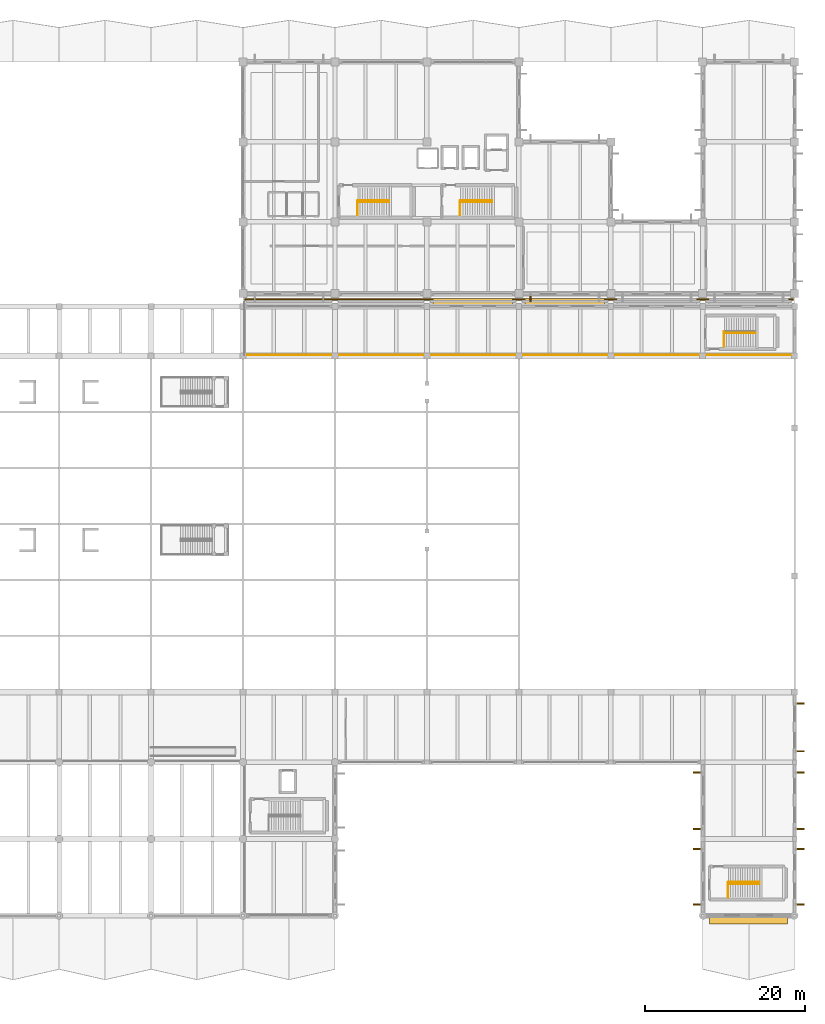
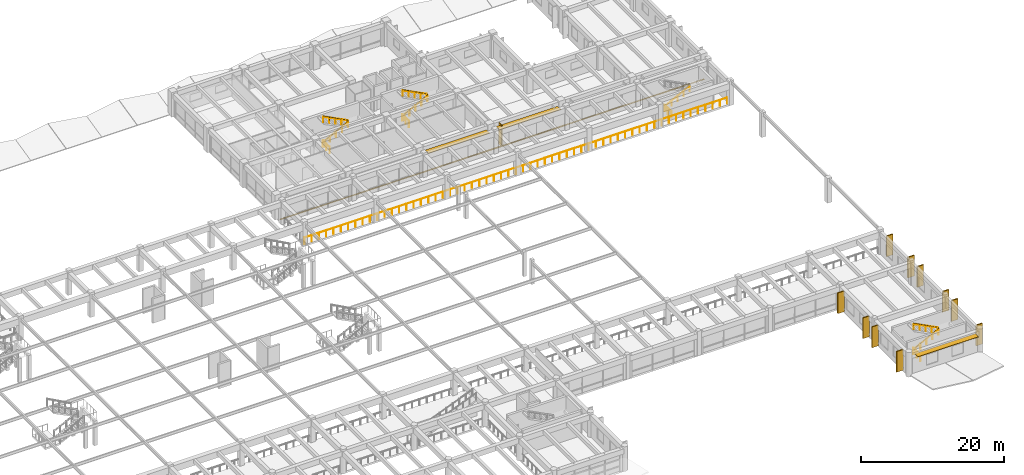
# One storey, part 96 of 98: 15 railings, 14 shading devices, 1 covering.
"""IFC4 building model written with IfcOpenShell, lengths in metres."""

from ifc_helpers import new_model, si_unit, direction, frame, origin, origin_2d, place, context, subcontext, project, spatial, polyline, rectangle, circle, outline, extrude, material, layer, layer_set, type_object, element, save


model = new_model("IFC4")

# Units and contexts
model_context = context("Model", 3, precision=1e-05, world=origin(), true_north=direction((0.0, 1.0)))
body_context = subcontext(model_context, "Body", "Model", "MODEL_VIEW")
ifc_project = project(units=[si_unit("LENGTHUNIT", "METRE"), si_unit("AREAUNIT", "SQUARE_METRE"), si_unit("VOLUMEUNIT", "CUBIC_METRE"), si_unit("PLANEANGLEUNIT", "RADIAN"), si_unit("MASSUNIT", "GRAM", prefix="KILO")], contexts=[model_context])

# Site, building, storey
site_placement = place(None, origin())
site = spatial("IfcSite", under=ifc_project, at=site_placement, CompositionType="ELEMENT")
building_placement = place(site_placement, origin())
building = spatial("IfcBuilding", under=site, at=building_placement, Name="Ologun Quay Terminus", CompositionType="ELEMENT")
storey_placement = place(building_placement, frame((0.0, 0.0, 4.199951171875)))
storey = spatial("IfcBuildingStorey", under=building, at=storey_placement, Name="L01", CompositionType="ELEMENT", Elevation=4.199951171875)

# Railing
ifc_material_1 = material(Name="Glass", Category="glass")
railing_type_1 = type_object("IfcRailingType", Name="Concourse & Atrium Glazed Balustrade 1150", PredefinedType="BALUSTRADE", material=ifc_material_1)
railing_1_placement = place(storey_placement, frame((115.14990234375, 78.14990234375, 0.0)))
element("IfcRailing", 1, at=railing_1_placement, inside=storey, type_object=railing_type_1, Name="BL-GL North Mezzanine Overlook Balustrade E L01", PredefinedType="BALUSTRADE", context=body_context, shape_type="SweptSolid", body=[
    extrude(circle(Radius=0.02392578125, at=origin_2d()), frame((0.0, 0.0, 1.1259765625), z_axis=(1.0, 0.0, 0.0), x_axis=(0.0, 1.0, 0.0)), (0.0, 0.0, 1.0), 68.4501953125),
    extrude(circle(Radius=0.02099609375, at=origin_2d()), origin(), (0.0, 0.0, 1.0), 1.101806640625),
    extrude(circle(Radius=0.02099609375, at=origin_2d()), frame((1.18017578125, 0.0, 0.0)), (0.0, 0.0, 1.0), 1.101806640625),
    extrude(circle(Radius=0.02099609375, at=origin_2d()), frame((2.3603515625, 0.0, 0.0)), (0.0, 0.0, 1.0), 1.101806640625),
    extrude(circle(Radius=0.02099609375, at=origin_2d()), frame((3.54052734375, 0.0, 0.0)), (0.0, 0.0, 1.0), 1.101806640625),
    extrude(circle(Radius=0.02099609375, at=origin_2d()), frame((4.720703125, 0.0, 0.0)), (0.0, 0.0, 1.0), 1.101806640625),
    extrude(circle(Radius=0.02099609375, at=origin_2d()), frame((5.90087890625, 0.0, 0.0)), (0.0, 0.0, 1.0), 1.101806640625),
    extrude(circle(Radius=0.02099609375, at=origin_2d()), frame((7.0810546875, 0.0, 0.0)), (0.0, 0.0, 1.0), 1.101806640625),
    extrude(circle(Radius=0.02099609375, at=origin_2d()), frame((8.26123046875, 0.0, 0.0)), (0.0, 0.0, 1.0), 1.101806640625),
    extrude(circle(Radius=0.02099609375, at=origin_2d()), frame((9.44140625, 0.0, 0.0)), (0.0, 0.0, 1.0), 1.101806640625),
    extrude(circle(Radius=0.02099609375, at=origin_2d()), frame((10.62158203125, 0.0, 0.0)), (0.0, 0.0, 1.0), 1.101806640625),
    extrude(circle(Radius=0.02099609375, at=origin_2d()), frame((11.8017578125, 0.0, 0.0)), (0.0, 0.0, 1.0), 1.101806640625),
    extrude(circle(Radius=0.02099609375, at=origin_2d()), frame((12.98193359375, 0.0, 0.0)), (0.0, 0.0, 1.0), 1.101806640625),
    extrude(circle(Radius=0.02099609375, at=origin_2d()), frame((14.162109375, 0.0, 0.0)), (0.0, 0.0, 1.0), 1.101806640625),
    extrude(circle(Radius=0.02099609375, at=origin_2d()), frame((15.34228515625, 0.0, 0.0)), (0.0, 0.0, 1.0), 1.101806640625),
    extrude(circle(Radius=0.02099609375, at=origin_2d()), frame((16.5224609375, 0.0, 0.0)), (0.0, 0.0, 1.0), 1.101806640625),
    extrude(circle(Radius=0.02099609375, at=origin_2d()), frame((17.70263671875, 0.0, 0.0)), (0.0, 0.0, 1.0), 1.101806640625),
    extrude(circle(Radius=0.02099609375, at=origin_2d()), frame((18.8828125, 0.0, 0.0)), (0.0, 0.0, 1.0), 1.101806640625),
    extrude(circle(Radius=0.02099609375, at=origin_2d()), frame((20.06298828125, 0.0, 0.0)), (0.0, 0.0, 1.0), 1.101806640625),
    extrude(circle(Radius=0.02099609375, at=origin_2d()), frame((21.2431640625, 0.0, 0.0)), (0.0, 0.0, 1.0), 1.101806640625),
    extrude(circle(Radius=0.02099609375, at=origin_2d()), frame((22.42333984375, 0.0, 0.0)), (0.0, 0.0, 1.0), 1.101806640625),
    extrude(circle(Radius=0.02099609375, at=origin_2d()), frame((23.603515625, 0.0, 0.0)), (0.0, 0.0, 1.0), 1.101806640625),
    extrude(circle(Radius=0.02099609375, at=origin_2d()), frame((24.78369140625, 0.0, 0.0)), (0.0, 0.0, 1.0), 1.101806640625),
    extrude(circle(Radius=0.02099609375, at=origin_2d()), frame((25.9638671875, 0.0, 0.0)), (0.0, 0.0, 1.0), 1.101806640625),
    extrude(circle(Radius=0.02099609375, at=origin_2d()), frame((27.14404296875, 0.0, 0.0)), (0.0, 0.0, 1.0), 1.101806640625),
    extrude(circle(Radius=0.02099609375, at=origin_2d()), frame((28.32421875, 0.0, 0.0)), (0.0, 0.0, 1.0), 1.101806640625),
    extrude(circle(Radius=0.02099609375, at=origin_2d()), frame((29.50439453125, 0.0, 0.0)), (0.0, 0.0, 1.0), 1.101806640625),
    extrude(circle(Radius=0.02099609375, at=origin_2d()), frame((30.6845703125, 0.0, 0.0)), (0.0, 0.0, 1.0), 1.101806640625),
    extrude(circle(Radius=0.02099609375, at=origin_2d()), frame((31.86474609375, 0.0, 0.0)), (0.0, 0.0, 1.0), 1.101806640625),
    extrude(circle(Radius=0.02099609375, at=origin_2d()), frame((33.044921875, 0.0, 0.0)), (0.0, 0.0, 1.0), 1.101806640625),
    extrude(circle(Radius=0.02099609375, at=origin_2d()), frame((34.22509765625, 0.0, 0.0)), (0.0, 0.0, 1.0), 1.101806640625),
    extrude(circle(Radius=0.02099609375, at=origin_2d()), frame((35.4052734375, 0.0, 0.0)), (0.0, 0.0, 1.0), 1.101806640625),
    extrude(circle(Radius=0.02099609375, at=origin_2d()), frame((36.58544921875, 0.0, 0.0)), (0.0, 0.0, 1.0), 1.101806640625),
    extrude(circle(Radius=0.02099609375, at=origin_2d()), frame((37.765625, 0.0, 0.0)), (0.0, 0.0, 1.0), 1.101806640625),
    extrude(circle(Radius=0.02099609375, at=origin_2d()), frame((38.94580078125, 0.0, 0.0)), (0.0, 0.0, 1.0), 1.101806640625),
    extrude(circle(Radius=0.02099609375, at=origin_2d()), frame((40.1259765625, 0.0, 0.0)), (0.0, 0.0, 1.0), 1.101806640625),
    extrude(circle(Radius=0.02099609375, at=origin_2d()), frame((41.30615234375, 0.0, 0.0)), (0.0, 0.0, 1.0), 1.101806640625),
    extrude(circle(Radius=0.02099609375, at=origin_2d()), frame((42.486328125, 0.0, 0.0)), (0.0, 0.0, 1.0), 1.101806640625),
    extrude(circle(Radius=0.02099609375, at=origin_2d()), frame((43.66650390625, 0.0, 0.0)), (0.0, 0.0, 1.0), 1.101806640625),
    extrude(circle(Radius=0.02099609375, at=origin_2d()), frame((44.8466796875, 0.0, 0.0)), (0.0, 0.0, 1.0), 1.101806640625),
    extrude(circle(Radius=0.02099609375, at=origin_2d()), frame((46.02685546875, 0.0, 0.0)), (0.0, 0.0, 1.0), 1.101806640625),
    extrude(circle(Radius=0.02099609375, at=origin_2d()), frame((47.20703125, 0.0, 0.0)), (0.0, 0.0, 1.0), 1.101806640625),
    extrude(circle(Radius=0.02099609375, at=origin_2d()), frame((48.38720703125, 0.0, 0.0)), (0.0, 0.0, 1.0), 1.101806640625),
    extrude(circle(Radius=0.02099609375, at=origin_2d()), frame((49.5673828125, 0.0, 0.0)), (0.0, 0.0, 1.0), 1.101806640625),
    extrude(circle(Radius=0.02099609375, at=origin_2d()), frame((50.74755859375, 0.0, 0.0)), (0.0, 0.0, 1.0), 1.101806640625),
    extrude(circle(Radius=0.02099609375, at=origin_2d()), frame((51.927734375, 0.0, 0.0)), (0.0, 0.0, 1.0), 1.101806640625),
    extrude(circle(Radius=0.02099609375, at=origin_2d()), frame((53.10791015625, 0.0, 0.0)), (0.0, 0.0, 1.0), 1.101806640625),
    extrude(circle(Radius=0.02099609375, at=origin_2d()), frame((54.2880859375, 0.0, 0.0)), (0.0, 0.0, 1.0), 1.101806640625),
    extrude(circle(Radius=0.02099609375, at=origin_2d()), frame((55.46826171875, 0.0, 0.0)), (0.0, 0.0, 1.0), 1.101806640625),
    extrude(circle(Radius=0.02099609375, at=origin_2d()), frame((56.6484375, 0.0, 0.0)), (0.0, 0.0, 1.0), 1.101806640625),
    extrude(circle(Radius=0.02099609375, at=origin_2d()), frame((57.82861328125, 0.0, 0.0)), (0.0, 0.0, 1.0), 1.101806640625),
    extrude(circle(Radius=0.02099609375, at=origin_2d()), frame((59.0087890625, 0.0, 0.0)), (0.0, 0.0, 1.0), 1.101806640625),
    extrude(circle(Radius=0.02099609375, at=origin_2d()), frame((60.18896484375, 0.0, 0.0)), (0.0, 0.0, 1.0), 1.101806640625),
    extrude(circle(Radius=0.02099609375, at=origin_2d()), frame((61.369140625, 0.0, 0.0)), (0.0, 0.0, 1.0), 1.101806640625),
    extrude(circle(Radius=0.02099609375, at=origin_2d()), frame((62.54931640625, 0.0, 0.0)), (0.0, 0.0, 1.0), 1.101806640625),
    extrude(circle(Radius=0.02099609375, at=origin_2d()), frame((63.7294921875, 0.0, 0.0)), (0.0, 0.0, 1.0), 1.101806640625),
    extrude(circle(Radius=0.02099609375, at=origin_2d()), frame((64.90966796875, 0.0, 0.0)), (0.0, 0.0, 1.0), 1.101806640625),
    extrude(circle(Radius=0.02099609375, at=origin_2d()), frame((66.08984375, 0.0, 0.0)), (0.0, 0.0, 1.0), 1.101806640625),
    extrude(circle(Radius=0.02099609375, at=origin_2d()), frame((67.27001953125, 0.0, 0.0)), (0.0, 0.0, 1.0), 1.101806640625),
    extrude(circle(Radius=0.02099609375, at=origin_2d()), frame((68.4501953125, 0.0, 0.0)), (0.0, 0.0, 1.0), 1.101806640625),
])

# Shading devices
ifc_material_2 = material(Name="Aluminium 6063-T6", Category="aluminium")
ifc_layer_1 = layer(ifc_material_2, 0.080078125)
ifc_layer_set_1 = layer_set([ifc_layer_1], Name="Aluminium 6063-T6")
shading_device_type_1 = type_object("IfcShadingDeviceType", Name="Horizontal Extruded Aluminium Sun Louvre 900", PredefinedType="JALOUSIE", material=ifc_layer_set_1)
shading_device_1_placement = place(storey_placement, frame((178.25, 7.39990234375, 3.449951171875), z_axis=(0.0, 0.0, 1.0), x_axis=(1.0, 0.0, 0.0)))
element("IfcShadingDevice", 2, at=shading_device_1_placement, inside=storey, type_object=shading_device_type_1, Name="SD-01 Sun-Hood WEW-SA-L01-3-7", PredefinedType="JALOUSIE", context=body_context, shape_type="SweptSolid", body=[
    extrude(rectangle(XDim=9.760009765625, YDim=0.89990234375, at=origin_2d()), origin(), (0.0, 0.0, 1.0), 0.080078125),
])
for number, where, z_axis, x_axis, name in (
    (3, (143.75, 84.780029296875, 3.4599609375), (0.0, 0.0, 1.0), (1.0, 0.0, 0.0), "SD-01 Sun-Hood WEW-NGW-L01-13"),
    (4, (155.25, 84.780029296875, 3.4599609375), (0.0, 0.0, 1.0), (1.0, 0.0, 0.0), "SD-01 Sun-Hood WEW-NGW-L01-14"),
):
    element("IfcShadingDevice", number, at=place(storey_placement, frame(where, z_axis=z_axis, x_axis=x_axis)), inside=storey, type_object=shading_device_type_1, Name=name, PredefinedType="JALOUSIE", context=body_context, shape_type="SweptSolid", body=[
        extrude(rectangle(XDim=9.9599609375, YDim=0.89990234375, at=origin_2d()), origin(), (0.0, 0.0, 1.0), 0.080078125),
    ])
ifc_material_3 = material(Name="Concrete C40/50", Category="concrete")
ifc_layer_2 = layer(ifc_material_3, 0.159912109375)
ifc_layer_set_2 = layer_set([ifc_layer_2], Name="Concrete C40/50")
shading_device_type_2 = type_object("IfcShadingDeviceType", Name="Operations Angled Precast Solar Fin 850x160", PredefinedType="USERDEFINED", material=ifc_layer_set_2)
shading_device_2_placement = place(storey_placement, frame((150.969970703125, 85.2451171875, 0.150146484375), z_axis=(0.0, 0.0, 1.0), x_axis=(1.0, 0.0, 0.0)))
element("IfcShadingDevice", 5, at=shading_device_2_placement, inside=storey, type_object=shading_device_type_2, Name="SD-05 Vertical Solar Fin WEW-EW-L01-4-1", ObjectType="SOLAR FIN", PredefinedType="USERDEFINED", context=body_context, shape_type="SweptSolid", body=[
    extrude(rectangle(XDim=0.159912109375, YDim=0.85009765625, at=origin_2d()), origin(), (0.0, 0.0, 1.0), 3.6298828125),
])
ifc_material_4 = material(Name="Concrete C40/50", Category="concrete")
ifc_layer_3 = layer(ifc_material_4, 0.179931640625)
ifc_layer_set_3 = layer_set([ifc_layer_3], Name="Concrete C40/50")
shading_device_type_3 = type_object("IfcShadingDeviceType", Name="Sculpted Concrete Vertical Solar Fin 1050x180", PredefinedType="USERDEFINED", material=ifc_layer_set_3)
for number, where, z_axis, x_axis, name in (
    (6, (171.824951171875, 9.419921875, 0.150146484375), (0.0, 0.0, 1.0), (1.0, 0.0, 0.0), "SD-04 Vertical Solar Fin WEW-SA-L01-3-5-1"),
    (7, (171.824951171875, 16.330078125, 0.150146484375), (0.0, 0.0, 1.0), (1.0, 0.0, 0.0), "SD-04 Vertical Solar Fin WEW-SA-L01-3-5-2"),
    (8, (171.824951171875, 18.8701171875, 0.150146484375), (0.0, 0.0, 1.0), (1.0, 0.0, 0.0), "SD-04 Vertical Solar Fin WEW-SA-L01-3-6-1"),
    (9, (171.824951171875, 25.929931640625, 0.150146484375), (0.0, 0.0, 1.0), (1.0, 0.0, 0.0), "SD-04 Vertical Solar Fin WEW-SA-L01-3-6-2"),
    (10, (184.675048828125, 9.419921875, 0.150146484375), (0.0, 0.0, 1.0), (1.0, 0.0, 0.0), "SD-04 Vertical Solar Fin WEW-SA-L01-3-8-1"),
    (11, (184.675048828125, 16.330078125, 0.150146484375), (0.0, 0.0, 1.0), (1.0, 0.0, 0.0), "SD-04 Vertical Solar Fin WEW-SA-L01-3-8-2"),
    (12, (184.675048828125, 18.8701171875, 0.150146484375), (0.0, 0.0, 1.0), (1.0, 0.0, 0.0), "SD-04 Vertical Solar Fin WEW-SA-L01-3-9-1"),
    (13, (184.675048828125, 25.929931640625, 0.150146484375), (0.0, 0.0, 1.0), (1.0, 0.0, 0.0), "SD-04 Vertical Solar Fin WEW-SA-L01-3-9-2"),
    (14, (184.675048828125, 28.570068359375, 0.150146484375), (0.0, 0.0, 1.0), (1.0, 0.0, 0.0), "SD-04 Vertical Solar Fin WEW-SA-L01-3-10-1"),
    (15, (184.675048828125, 34.554931640625, 0.150146484375), (0.0, 0.0, 1.0), (1.0, 0.0, 0.0), "SD-04 Vertical Solar Fin WEW-SA-L01-3-10-2"),
):
    element("IfcShadingDevice", number, at=place(storey_placement, frame(where, z_axis=z_axis, x_axis=x_axis)), inside=storey, type_object=shading_device_type_3, Name=name, ObjectType="SOLAR FIN", PredefinedType="USERDEFINED", context=body_context, shape_type="SweptSolid", body=[
        extrude(rectangle(XDim=1.050048828125, YDim=0.179931640625, at=origin_2d()), origin(), (0.0, 0.0, 1.0), 3.5400390625),
    ])

# Covering
ifc_material_5 = material(Name="Steel S355", Category="steel")
ifc_layer_4 = layer(ifc_material_5, 0.034912109375)
ifc_layer_set_4 = layer_set([ifc_layer_4], Name="Steel S355")
covering_type = type_object("IfcCoveringType", Name="Stainless Steel Seismic Joint Cover Plate 35", PredefinedType="FLOORING", material=ifc_layer_set_4)
covering_placement = place(storey_placement, origin())
element("IfcCovering", 16, at=covering_placement, inside=storey, type_object=covering_type, Name="CV-MJC Seismic Joint Cover Plate L01-E", PredefinedType="FLOORING", context=body_context, shape_type="SweptSolid", body=[
    extrude(outline(polyline([(115.199951171875, 84.9560546875), (183.800048828125, 84.9560546875), (183.800048828125, 85.156005859375), (115.199951171875, 85.156005859375), (115.199951171875, 84.9560546875)])), origin(), (0.0, 0.0, 1.0), 0.03515625),
])

# Railings
ifc_material_6 = material(Name="Steel S355", Category="steel")
railing_type_2 = type_object("IfcRailingType", Name="Stair & Landing Steel Guardrail 1100", PredefinedType="GUARDRAIL", material=ifc_material_6)
railing_2_placement = place(storey_placement, frame((129.31005859375, 97.43994140625, 0.0)))
element("IfcRailing", 17, at=railing_2_placement, inside=storey, type_object=railing_type_2, Name="GR-ST Stair Floor Edge Guard ST-E1 L01", PredefinedType="GUARDRAIL", context=body_context, shape_type="SweptSolid", body=[
    extrude(circle(Radius=0.02392578125, at=origin_2d()), frame((0.0, 0.0, 1.076171875), z_axis=(0.0, -1.0, 0.0), x_axis=(1.0, 0.0, 0.0)), (0.0, 0.0, 1.0), 1.829833984375),
    extrude(circle(Radius=0.02099609375, at=origin_2d()), origin(), (0.0, 0.0, 1.0), 1.052001953125),
    extrude(circle(Radius=0.02099609375, at=origin_2d()), frame((0.0, -0.9150390625, 0.0)), (0.0, 0.0, 1.0), 1.052001953125),
    extrude(circle(Radius=0.02099609375, at=origin_2d()), frame((0.0, -1.829833984375, 0.0)), (0.0, 0.0, 1.0), 1.052001953125),
])
railing_3_placement = place(storey_placement, frame((129.35009765625, 97.25, 0.0)))
element("IfcRailing", 18, at=railing_3_placement, inside=storey, type_object=railing_type_2, Name="GR-ST Stair Inner Well Guard ST-E1 L01", PredefinedType="GUARDRAIL", context=body_context, shape_type="SweptSolid", body=[
    extrude(circle(Radius=0.02392578125, at=origin_2d()), frame((0.0, 0.0, 1.076171875), z_axis=(0.881967403671, 0.0, 0.471310406062), x_axis=(0.0, 1.0, 0.0)), (0.0, 0.0, 1.0), 4.455810546875),
    extrude(circle(Radius=0.02392578125, at=origin_2d()), frame((3.929931640625, 0.0, 3.17626953125), z_axis=(0.0, 1.0, 0.0), x_axis=(-1.0, 0.0, 0.0)), (0.0, 0.0, 1.0), 0.199951171875),
    extrude(circle(Radius=0.02392578125, at=origin_2d()), frame((3.929931640625, 0.199951171875, 3.17626953125), z_axis=(-0.881990178689, 0.0, 0.471267784488), x_axis=(0.0, -1.0, 0.0)), (0.0, 0.0, 1.0), 4.455810546875),
    extrude(circle(Radius=0.02099609375, at=origin_2d()), origin(), (0.0, 0.0, 1.0), 1.052001953125),
    extrude(circle(Radius=0.02099609375, at=origin_2d()), frame((0.982421875, 0.0, 0.52490234375)), (0.0, 0.0, 1.0), 1.052001953125),
    extrude(circle(Radius=0.02099609375, at=origin_2d()), frame((1.96484375, 0.0, 1.050048828125)), (0.0, 0.0, 1.0), 1.052001953125),
    extrude(circle(Radius=0.02099609375, at=origin_2d()), frame((2.947509765625, 0.0, 1.5751953125)), (0.0, 0.0, 1.0), 1.052001953125),
    extrude(circle(Radius=0.02099609375, at=origin_2d()), frame((3.929931640625, 0.0, 2.10009765625)), (0.0, 0.0, 1.0), 1.052001953125),
    extrude(circle(Radius=0.02099609375, at=origin_2d()), frame((3.929931640625, 0.199951171875, 2.10009765625)), (0.0, 0.0, 1.0), 1.052001953125),
    extrude(circle(Radius=0.02099609375, at=origin_2d()), frame((2.947509765625, 0.199951171875, 2.625)), (0.0, 0.0, 1.0), 1.052001953125),
    extrude(circle(Radius=0.02099609375, at=origin_2d()), frame((1.96484375, 0.199951171875, 3.14990234375)), (0.0, 0.0, 1.0), 1.052001953125),
    extrude(circle(Radius=0.02099609375, at=origin_2d()), frame((0.982421875, 0.199951171875, 3.675048828125)), (0.0, 0.0, 1.0), 1.052001953125),
    extrude(circle(Radius=0.02099609375, at=origin_2d()), frame((0.0, 0.199951171875, 4.199951171875)), (0.0, 0.0, 1.0), 1.052001953125),
])
railing_4_placement = place(storey_placement, frame((142.159912109375, 97.43994140625, 0.0)))
element("IfcRailing", 19, at=railing_4_placement, inside=storey, type_object=railing_type_2, Name="GR-ST Stair Floor Edge Guard ST-E2 L01", PredefinedType="GUARDRAIL", context=body_context, shape_type="SweptSolid", body=[
    extrude(circle(Radius=0.02392578125, at=origin_2d()), frame((0.0, 0.0, 1.076171875), z_axis=(0.0, -1.0, 0.0), x_axis=(1.0, 0.0, 0.0)), (0.0, 0.0, 1.0), 1.829833984375),
    extrude(circle(Radius=0.02099609375, at=origin_2d()), origin(), (0.0, 0.0, 1.0), 1.052001953125),
    extrude(circle(Radius=0.02099609375, at=origin_2d()), frame((0.0, -0.9150390625, 0.0)), (0.0, 0.0, 1.0), 1.052001953125),
    extrude(circle(Radius=0.02099609375, at=origin_2d()), frame((0.0, -1.829833984375, 0.0)), (0.0, 0.0, 1.0), 1.052001953125),
])
railing_5_placement = place(storey_placement, frame((142.199951171875, 97.25, 0.0)))
element("IfcRailing", 20, at=railing_5_placement, inside=storey, type_object=railing_type_2, Name="GR-ST Stair Inner Well Guard ST-E2 L01", PredefinedType="GUARDRAIL", context=body_context, shape_type="SweptSolid", body=[
    extrude(circle(Radius=0.02392578125, at=origin_2d()), frame((0.0, 0.0, 1.076171875), z_axis=(0.881967403671, 0.0, 0.471310406062), x_axis=(0.0, 1.0, 0.0)), (0.0, 0.0, 1.0), 4.455810546875),
    extrude(circle(Radius=0.02392578125, at=origin_2d()), frame((3.929931640625, 0.0, 3.17626953125), z_axis=(0.0, 1.0, 0.0), x_axis=(-1.0, 0.0, 0.0)), (0.0, 0.0, 1.0), 0.199951171875),
    extrude(circle(Radius=0.02392578125, at=origin_2d()), frame((3.929931640625, 0.199951171875, 3.17626953125), z_axis=(-0.881990178689, 0.0, 0.471267784488), x_axis=(0.0, -1.0, 0.0)), (0.0, 0.0, 1.0), 4.455810546875),
    extrude(circle(Radius=0.02099609375, at=origin_2d()), origin(), (0.0, 0.0, 1.0), 1.052001953125),
    extrude(circle(Radius=0.02099609375, at=origin_2d()), frame((0.982421875, 0.0, 0.52490234375)), (0.0, 0.0, 1.0), 1.052001953125),
    extrude(circle(Radius=0.02099609375, at=origin_2d()), frame((1.96484375, 0.0, 1.050048828125)), (0.0, 0.0, 1.0), 1.052001953125),
    extrude(circle(Radius=0.02099609375, at=origin_2d()), frame((2.947509765625, 0.0, 1.5751953125)), (0.0, 0.0, 1.0), 1.052001953125),
    extrude(circle(Radius=0.02099609375, at=origin_2d()), frame((3.929931640625, 0.0, 2.10009765625)), (0.0, 0.0, 1.0), 1.052001953125),
    extrude(circle(Radius=0.02099609375, at=origin_2d()), frame((3.929931640625, 0.199951171875, 2.10009765625)), (0.0, 0.0, 1.0), 1.052001953125),
    extrude(circle(Radius=0.02099609375, at=origin_2d()), frame((2.947509765625, 0.199951171875, 2.625)), (0.0, 0.0, 1.0), 1.052001953125),
    extrude(circle(Radius=0.02099609375, at=origin_2d()), frame((1.96484375, 0.199951171875, 3.14990234375)), (0.0, 0.0, 1.0), 1.052001953125),
    extrude(circle(Radius=0.02099609375, at=origin_2d()), frame((0.982421875, 0.199951171875, 3.675048828125)), (0.0, 0.0, 1.0), 1.052001953125),
    extrude(circle(Radius=0.02099609375, at=origin_2d()), frame((0.0, 0.199951171875, 4.199951171875)), (0.0, 0.0, 1.0), 1.052001953125),
])
railing_6_placement = place(storey_placement, frame((175.659912109375, 12.18994140625, 0.0)))
element("IfcRailing", 21, at=railing_6_placement, inside=storey, type_object=railing_type_2, Name="GR-ST Stair Floor Edge Guard ST-S2 L01", PredefinedType="GUARDRAIL", context=body_context, shape_type="SweptSolid", body=[
    extrude(circle(Radius=0.02392578125, at=origin_2d()), frame((0.0, 0.0, 1.076171875), z_axis=(0.0, -1.0, 0.0), x_axis=(1.0, 0.0, 0.0)), (0.0, 0.0, 1.0), 1.929931640625),
    extrude(circle(Radius=0.02099609375, at=origin_2d()), origin(), (0.0, 0.0, 1.0), 1.052001953125),
    extrude(circle(Radius=0.02099609375, at=origin_2d()), frame((0.0, -0.96484375, 0.0)), (0.0, 0.0, 1.0), 1.052001953125),
    extrude(circle(Radius=0.02099609375, at=origin_2d()), frame((0.0, -1.929931640625, 0.0)), (0.0, 0.0, 1.0), 1.052001953125),
])
railing_7_placement = place(storey_placement, frame((175.699951171875, 12.0, 0.0)))
element("IfcRailing", 22, at=railing_7_placement, inside=storey, type_object=railing_type_2, Name="GR-ST Stair Inner Well Guard ST-S2 L01", PredefinedType="GUARDRAIL", context=body_context, shape_type="SweptSolid", body=[
    extrude(circle(Radius=0.02392578125, at=origin_2d()), frame((0.0, 0.0, 1.076171875), z_axis=(0.881967403671, 0.0, 0.471310406062), x_axis=(0.0, 1.0, 0.0)), (0.0, 0.0, 1.0), 4.455810546875),
    extrude(circle(Radius=0.02392578125, at=origin_2d()), frame((3.929931640625, 0.0, 3.17626953125), z_axis=(0.0, 1.0, 0.0), x_axis=(-1.0, 0.0, 0.0)), (0.0, 0.0, 1.0), 0.199951171875),
    extrude(circle(Radius=0.02392578125, at=origin_2d()), frame((3.929931640625, 0.199951171875, 3.17626953125), z_axis=(-0.881990178689, 0.0, 0.471267784488), x_axis=(0.0, -1.0, 0.0)), (0.0, 0.0, 1.0), 4.455810546875),
    extrude(circle(Radius=0.02099609375, at=origin_2d()), origin(), (0.0, 0.0, 1.0), 1.052001953125),
    extrude(circle(Radius=0.02099609375, at=origin_2d()), frame((0.982421875, 0.0, 0.52490234375)), (0.0, 0.0, 1.0), 1.052001953125),
    extrude(circle(Radius=0.02099609375, at=origin_2d()), frame((1.96484375, 0.0, 1.050048828125)), (0.0, 0.0, 1.0), 1.052001953125),
    extrude(circle(Radius=0.02099609375, at=origin_2d()), frame((2.947509765625, 0.0, 1.5751953125)), (0.0, 0.0, 1.0), 1.052001953125),
    extrude(circle(Radius=0.02099609375, at=origin_2d()), frame((3.929931640625, 0.0, 2.10009765625)), (0.0, 0.0, 1.0), 1.052001953125),
    extrude(circle(Radius=0.02099609375, at=origin_2d()), frame((3.929931640625, 0.199951171875, 2.10009765625)), (0.0, 0.0, 1.0), 1.052001953125),
    extrude(circle(Radius=0.02099609375, at=origin_2d()), frame((2.947509765625, 0.199951171875, 2.625)), (0.0, 0.0, 1.0), 1.052001953125),
    extrude(circle(Radius=0.02099609375, at=origin_2d()), frame((1.96484375, 0.199951171875, 3.14990234375)), (0.0, 0.0, 1.0), 1.052001953125),
    extrude(circle(Radius=0.02099609375, at=origin_2d()), frame((0.982421875, 0.199951171875, 3.675048828125)), (0.0, 0.0, 1.0), 1.052001953125),
    extrude(circle(Radius=0.02099609375, at=origin_2d()), frame((0.0, 0.199951171875, 4.199951171875)), (0.0, 0.0, 1.0), 1.052001953125),
])
railing_8_placement = place(storey_placement, frame((175.159912109375, 81.090087890625, 0.0)))
element("IfcRailing", 23, at=railing_8_placement, inside=storey, type_object=railing_type_2, Name="GR-ST Stair Floor Edge Guard ST-NG2 L01", PredefinedType="GUARDRAIL", context=body_context, shape_type="SweptSolid", body=[
    extrude(circle(Radius=0.02392578125, at=origin_2d()), frame((0.0, 0.0, 1.076171875), z_axis=(0.0, -1.0, 0.0), x_axis=(1.0, 0.0, 0.0)), (0.0, 0.0, 1.0), 1.93017578125),
    extrude(circle(Radius=0.02099609375, at=origin_2d()), origin(), (0.0, 0.0, 1.0), 1.052001953125),
    extrude(circle(Radius=0.02099609375, at=origin_2d()), frame((0.0, -0.965087890625, 0.0)), (0.0, 0.0, 1.0), 1.052001953125),
    extrude(circle(Radius=0.02099609375, at=origin_2d()), frame((0.0, -1.93017578125, 0.0)), (0.0, 0.0, 1.0), 1.052001953125),
])
ifc_material_7 = material(Name="Steel S355", Category="steel")
railing_type_3 = type_object("IfcRailingType", Name="Stair Stainless Tubular Handrail 920", PredefinedType="HANDRAIL", material=ifc_material_7)
railing_9_placement = place(storey_placement, frame((129.35009765625, 97.239990234375, 0.150146484375)))
element("IfcRailing", 24, at=railing_9_placement, inside=storey, type_object=railing_type_3, Name="HR-ST Handrail ST-E1-F1 L01", PredefinedType="HANDRAIL", context=body_context, shape_type="SweptSolid", body=[
    extrude(circle(Radius=0.02392578125, at=origin_2d()), frame((0.0, 0.0, 0.89599609375), z_axis=(0.894427191, 0.0, 0.4472135955), x_axis=(0.0, 1.0, 0.0)), (0.0, 0.0, 1.0), 4.360107421875),
    extrude(circle(Radius=0.02099609375, at=origin_2d()), origin(), (0.0, 0.0, 1.0), 0.871826171875),
    extrude(circle(Radius=0.02099609375, at=origin_2d()), frame((0.97509765625, 0.0, 0.487548828125)), (0.0, 0.0, 1.0), 0.871826171875),
    extrude(circle(Radius=0.02099609375, at=origin_2d()), frame((1.949951171875, 0.0, 0.97509765625)), (0.0, 0.0, 1.0), 0.871826171875),
    extrude(circle(Radius=0.02099609375, at=origin_2d()), frame((2.9248046875, 0.0, 1.46240234375)), (0.0, 0.0, 1.0), 0.871826171875),
    extrude(circle(Radius=0.02099609375, at=origin_2d()), frame((3.89990234375, 0.0, 1.949951171875)), (0.0, 0.0, 1.0), 0.871826171875),
])
railing_10_placement = place(storey_placement, frame((133.25, 97.4599609375, 2.25)))
element("IfcRailing", 25, at=railing_10_placement, inside=storey, type_object=railing_type_3, Name="HR-ST Handrail ST-E1-F2 L01", PredefinedType="HANDRAIL", context=body_context, shape_type="SweptSolid", body=[
    extrude(circle(Radius=0.02392578125, at=origin_2d()), frame((0.0, 0.0, 0.89599609375), z_axis=(-0.894427191, 0.0, 0.4472135955), x_axis=(0.0, -1.0, 0.0)), (0.0, 0.0, 1.0), 4.360107421875),
    extrude(circle(Radius=0.02099609375, at=origin_2d()), origin(), (0.0, 0.0, 1.0), 0.871826171875),
    extrude(circle(Radius=0.02099609375, at=origin_2d()), frame((-0.97509765625, 0.0, 0.487548828125)), (0.0, 0.0, 1.0), 0.871826171875),
    extrude(circle(Radius=0.02099609375, at=origin_2d()), frame((-1.949951171875, 0.0, 0.97509765625)), (0.0, 0.0, 1.0), 0.871826171875),
    extrude(circle(Radius=0.02099609375, at=origin_2d()), frame((-2.9248046875, 0.0, 1.46240234375)), (0.0, 0.0, 1.0), 0.871826171875),
    extrude(circle(Radius=0.02099609375, at=origin_2d()), frame((-3.89990234375, 0.0, 1.949951171875)), (0.0, 0.0, 1.0), 0.871826171875),
])
railing_11_placement = place(storey_placement, frame((142.199951171875, 97.239990234375, 0.150146484375)))
element("IfcRailing", 26, at=railing_11_placement, inside=storey, type_object=railing_type_3, Name="HR-ST Handrail ST-E2-F1 L01", PredefinedType="HANDRAIL", context=body_context, shape_type="SweptSolid", body=[
    extrude(circle(Radius=0.02392578125, at=origin_2d()), frame((0.0, 0.0, 0.89599609375), z_axis=(0.894438388696, 0.0, 0.447191199406), x_axis=(0.0, 1.0, 0.0)), (0.0, 0.0, 1.0), 4.3603515625),
    extrude(circle(Radius=0.02099609375, at=origin_2d()), origin(), (0.0, 0.0, 1.0), 0.871826171875),
    extrude(circle(Radius=0.02099609375, at=origin_2d()), frame((0.97509765625, 0.0, 0.487548828125)), (0.0, 0.0, 1.0), 0.871826171875),
    extrude(circle(Radius=0.02099609375, at=origin_2d()), frame((1.9501953125, 0.0, 0.97509765625)), (0.0, 0.0, 1.0), 0.871826171875),
    extrude(circle(Radius=0.02099609375, at=origin_2d()), frame((2.925048828125, 0.0, 1.46240234375)), (0.0, 0.0, 1.0), 0.871826171875),
    extrude(circle(Radius=0.02099609375, at=origin_2d()), frame((3.900146484375, 0.0, 1.949951171875)), (0.0, 0.0, 1.0), 0.871826171875),
])
railing_12_placement = place(storey_placement, frame((146.10009765625, 97.4599609375, 2.25)))
element("IfcRailing", 27, at=railing_12_placement, inside=storey, type_object=railing_type_3, Name="HR-ST Handrail ST-E2-F2 L01", PredefinedType="HANDRAIL", context=body_context, shape_type="SweptSolid", body=[
    extrude(circle(Radius=0.02392578125, at=origin_2d()), frame((0.0, 0.0, 0.89599609375), z_axis=(-0.894438388696, 0.0, 0.447191199406), x_axis=(0.0, -1.0, 0.0)), (0.0, 0.0, 1.0), 4.3603515625),
    extrude(circle(Radius=0.02099609375, at=origin_2d()), origin(), (0.0, 0.0, 1.0), 0.871826171875),
    extrude(circle(Radius=0.02099609375, at=origin_2d()), frame((-0.97509765625, 0.0, 0.487548828125)), (0.0, 0.0, 1.0), 0.871826171875),
    extrude(circle(Radius=0.02099609375, at=origin_2d()), frame((-1.9501953125, 0.0, 0.97509765625)), (0.0, 0.0, 1.0), 0.871826171875),
    extrude(circle(Radius=0.02099609375, at=origin_2d()), frame((-2.925048828125, 0.0, 1.46240234375)), (0.0, 0.0, 1.0), 0.871826171875),
    extrude(circle(Radius=0.02099609375, at=origin_2d()), frame((-3.900146484375, 0.0, 1.949951171875)), (0.0, 0.0, 1.0), 0.871826171875),
])
railing_13_placement = place(storey_placement, frame((175.699951171875, 11.989990234375, 0.150146484375)))
element("IfcRailing", 28, at=railing_13_placement, inside=storey, type_object=railing_type_3, Name="HR-ST Handrail ST-S2-F1 L01", PredefinedType="HANDRAIL", context=body_context, shape_type="SweptSolid", body=[
    extrude(circle(Radius=0.02392578125, at=origin_2d()), frame((0.0, 0.0, 0.89599609375), z_axis=(0.894438388696, 0.0, 0.447191199406), x_axis=(0.0, 1.0, 0.0)), (0.0, 0.0, 1.0), 4.3603515625),
    extrude(circle(Radius=0.02099609375, at=origin_2d()), origin(), (0.0, 0.0, 1.0), 0.871826171875),
    extrude(circle(Radius=0.02099609375, at=origin_2d()), frame((0.97509765625, 0.0, 0.487548828125)), (0.0, 0.0, 1.0), 0.871826171875),
    extrude(circle(Radius=0.02099609375, at=origin_2d()), frame((1.9501953125, 0.0, 0.97509765625)), (0.0, 0.0, 1.0), 0.871826171875),
    extrude(circle(Radius=0.02099609375, at=origin_2d()), frame((2.925048828125, 0.0, 1.46240234375)), (0.0, 0.0, 1.0), 0.871826171875),
    extrude(circle(Radius=0.02099609375, at=origin_2d()), frame((3.900146484375, 0.0, 1.949951171875)), (0.0, 0.0, 1.0), 0.871826171875),
])
railing_14_placement = place(storey_placement, frame((179.60009765625, 12.2099609375, 2.25)))
element("IfcRailing", 29, at=railing_14_placement, inside=storey, type_object=railing_type_3, Name="HR-ST Handrail ST-S2-F2 L01", PredefinedType="HANDRAIL", context=body_context, shape_type="SweptSolid", body=[
    extrude(circle(Radius=0.02392578125, at=origin_2d()), frame((0.0, 0.0, 0.89599609375), z_axis=(-0.894438388696, 0.0, 0.447191199406), x_axis=(0.0, -1.0, 0.0)), (0.0, 0.0, 1.0), 4.3603515625),
    extrude(circle(Radius=0.02099609375, at=origin_2d()), origin(), (0.0, 0.0, 1.0), 0.871826171875),
    extrude(circle(Radius=0.02099609375, at=origin_2d()), frame((-0.97509765625, 0.0, 0.487548828125)), (0.0, 0.0, 1.0), 0.871826171875),
    extrude(circle(Radius=0.02099609375, at=origin_2d()), frame((-1.9501953125, 0.0, 0.97509765625)), (0.0, 0.0, 1.0), 0.871826171875),
    extrude(circle(Radius=0.02099609375, at=origin_2d()), frame((-2.925048828125, 0.0, 1.46240234375)), (0.0, 0.0, 1.0), 0.871826171875),
    extrude(circle(Radius=0.02099609375, at=origin_2d()), frame((-3.900146484375, 0.0, 1.949951171875)), (0.0, 0.0, 1.0), 0.871826171875),
])
railing_15_placement = place(storey_placement, frame((175.199951171875, 80.889892578125, 0.150146484375)))
element("IfcRailing", 30, at=railing_15_placement, inside=storey, type_object=railing_type_3, Name="HR-ST Handrail ST-NG2-F1 L01", PredefinedType="HANDRAIL", context=body_context, shape_type="SweptSolid", body=[
    extrude(circle(Radius=0.02392578125, at=origin_2d()), frame((0.0, 0.0, 0.89599609375), z_axis=(0.894438388696, 0.0, 0.447191199406), x_axis=(0.0, 1.0, 0.0)), (0.0, 0.0, 1.0), 4.3603515625),
    extrude(circle(Radius=0.02099609375, at=origin_2d()), origin(), (0.0, 0.0, 1.0), 0.871826171875),
    extrude(circle(Radius=0.02099609375, at=origin_2d()), frame((0.97509765625, 0.0, 0.487548828125)), (0.0, 0.0, 1.0), 0.871826171875),
    extrude(circle(Radius=0.02099609375, at=origin_2d()), frame((1.9501953125, 0.0, 0.97509765625)), (0.0, 0.0, 1.0), 0.871826171875),
    extrude(circle(Radius=0.02099609375, at=origin_2d()), frame((2.925048828125, 0.0, 1.46240234375)), (0.0, 0.0, 1.0), 0.871826171875),
    extrude(circle(Radius=0.02099609375, at=origin_2d()), frame((3.900146484375, 0.0, 1.949951171875)), (0.0, 0.0, 1.0), 0.871826171875),
])

save(model, "model.ifc")
